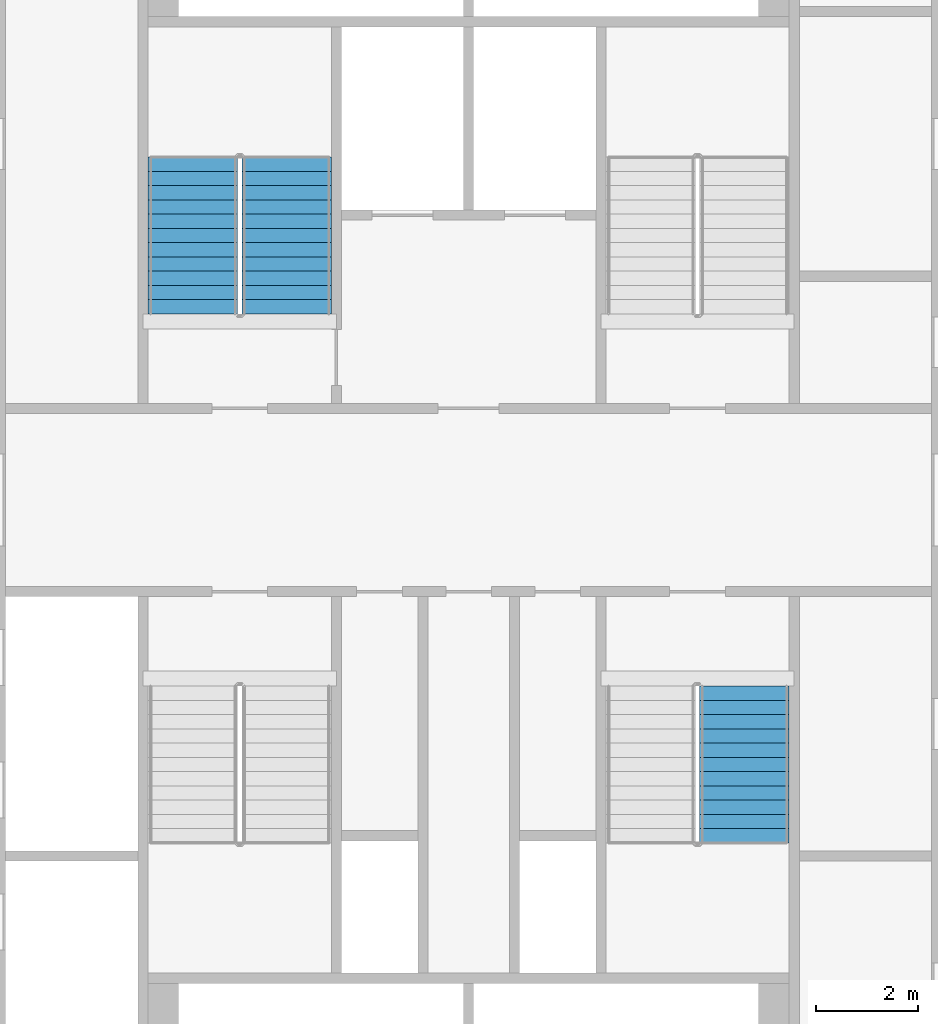
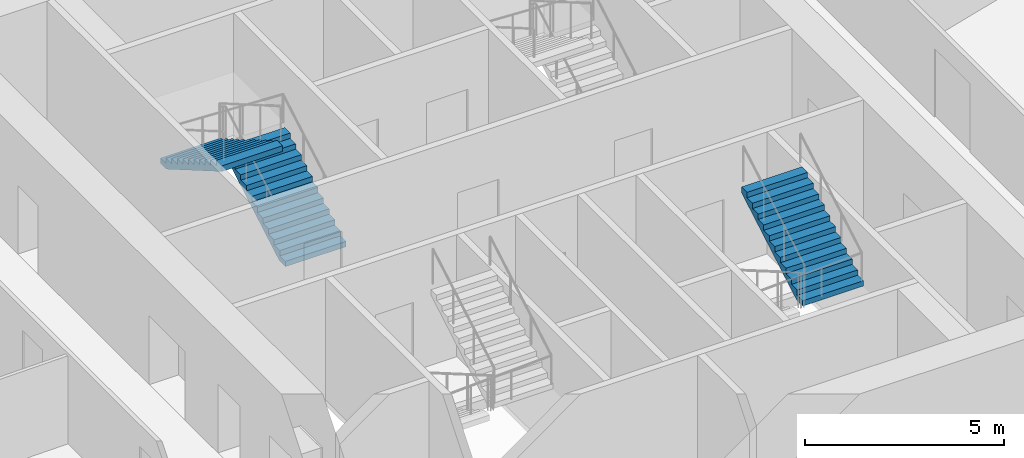
# One storey, part 16 of 22: 3 stair flights, 2 elements without a shape of their own.
"""IFC4 building model written with IfcOpenShell, lengths in metres."""

from ifc_helpers import new_model, si_unit, direction, frame, origin, place, context, subcontext, project, spatial, faceted_brep, material, type_object, element, aggregate, save


model = new_model("IFC4")

# Units and contexts
model_context = context("Model", 3, precision=1e-05, world=origin(), true_north=direction((0.0, 1.0)))
body_context = subcontext(model_context, "Body", "Model", "MODEL_VIEW")
ifc_project = project(units=[si_unit("LENGTHUNIT", "METRE"), si_unit("AREAUNIT", "SQUARE_METRE"), si_unit("VOLUMEUNIT", "CUBIC_METRE"), si_unit("PLANEANGLEUNIT", "RADIAN"), si_unit("MASSUNIT", "GRAM", prefix="KILO")], contexts=[model_context])

# Site, building, storey
site_placement = place(None, origin())
site = spatial("IfcSite", under=ifc_project, at=site_placement, CompositionType="ELEMENT")
building_placement = place(site_placement, origin())
building = spatial("IfcBuilding", under=site, at=building_placement, Name="Tarsis Ring Headquarters", CompositionType="ELEMENT")
storey_placement = place(building_placement, frame((0.0, 0.0, 40.0)))
storey = spatial("IfcBuildingStorey", under=building, at=storey_placement, Name="L07", CompositionType="ELEMENT", Elevation=40.0)

# Stair, stair flights
ifc_material_1 = material(Name="Core stair 1760")
stair_type = type_object("IfcStairType", Name="Core stair 1760", PredefinedType="HALF_TURN_STAIR", material=ifc_material_1)
stair_1_placement = place(storey_placement, origin())
stair_1 = element("IfcStair", 1, at=stair_1_placement, inside=storey, type_object=stair_type, Name="L07 Firefighting stair", PredefinedType="HALF_TURN_STAIR")
ifc_material_2 = material(Name="Concrete C40/50", Category="concrete")
stair_flight_type = type_object("IfcStairFlightType", Name="Core stair flight 1760", PredefinedType="STRAIGHT", material=ifc_material_2)
stair_flight_1_placement = place(storey_placement, frame((-3.580078125, 3.659912109375, 0.0), z_axis=(0.0, 0.0, 1.0), x_axis=(0.0, 1.0, 0.0)))
stair_flight_1 = element("IfcStairFlight", 2, at=stair_flight_1_placement, type_object=stair_flight_type, Name="Stair ST1 flight 1", NumberOfRisers=12, NumberOfTreads=11, PredefinedType="STRAIGHT", RiserHeight=0.1625, TreadLength=0.28, context=body_context, shape_type="Brep", body=[
    faceted_brep([(0.0, 0.8798828125, 0.0), (0.0, 0.8798828125, 0.16259765625), (0.280029296875, 0.8798828125, 0.16259765625), (0.280029296875, 0.8798828125, 0.324951171875), (0.56005859375, 0.8798828125, 0.324951171875), (0.56005859375, 0.8798828125, 0.487548828125), (0.840087890625, 0.8798828125, 0.487548828125), (0.840087890625, 0.8798828125, 0.64990234375), (1.1201171875, 0.8798828125, 0.64990234375), (1.1201171875, 0.8798828125, 0.8125), (1.39990234375, 0.8798828125, 0.8125), (1.39990234375, 0.8798828125, 0.97509765625), (1.679931640625, 0.8798828125, 0.97509765625), (1.679931640625, 0.8798828125, 1.137451171875), (1.9599609375, 0.8798828125, 1.137451171875), (1.9599609375, 0.8798828125, 1.300048828125), (2.239990234375, 0.8798828125, 1.300048828125), (2.239990234375, 0.8798828125, 1.46240234375), (2.52001953125, 0.8798828125, 1.46240234375), (2.52001953125, 0.8798828125, 1.625), (2.800048828125, 0.8798828125, 1.625), (2.800048828125, 0.8798828125, 1.78759765625), (3.080078125, 0.8798828125, 1.78759765625), (3.080078125, 0.8798828125, 1.6142578125), (0.298583984375, 0.8798828125, 0.0), (0.298583984375, -0.8798828125, 0.0), (3.080078125, -0.8798828125, 1.6142578125), (3.080078125, -0.8798828125, 1.78759765625), (2.800048828125, -0.8798828125, 1.78759765625), (2.800048828125, -0.8798828125, 1.625), (2.52001953125, -0.8798828125, 1.625), (2.52001953125, -0.8798828125, 1.46240234375), (2.239990234375, -0.8798828125, 1.46240234375), (2.239990234375, -0.8798828125, 1.300048828125), (1.9599609375, -0.8798828125, 1.300048828125), (1.9599609375, -0.8798828125, 1.137451171875), (1.679931640625, -0.8798828125, 1.137451171875), (1.679931640625, -0.8798828125, 0.97509765625), (1.39990234375, -0.8798828125, 0.97509765625), (1.39990234375, -0.8798828125, 0.8125), (1.1201171875, -0.8798828125, 0.8125), (1.1201171875, -0.8798828125, 0.64990234375), (0.840087890625, -0.8798828125, 0.64990234375), (0.840087890625, -0.8798828125, 0.487548828125), (0.56005859375, -0.8798828125, 0.487548828125), (0.56005859375, -0.8798828125, 0.324951171875), (0.280029296875, -0.8798828125, 0.324951171875), (0.280029296875, -0.8798828125, 0.16259765625), (0.0, -0.8798828125, 0.16259765625), (0.0, -0.8798828125, 0.0), (0.0, -0.43994140625, 0.16259765625), (0.0, -0.43994140625, 0.0), (0.0, 0.0, 0.16259765625), (0.0, 0.0, 0.0), (0.0, 0.43994140625, 0.16259765625), (0.0, 0.43994140625, 0.0), (0.280029296875, -0.43994140625, 0.16259765625), (0.280029296875, 0.0, 0.16259765625), (0.280029296875, 0.43994140625, 0.16259765625), (0.280029296875, -0.43994140625, 0.324951171875), (0.280029296875, 0.0, 0.324951171875), (0.280029296875, 0.43994140625, 0.324951171875), (0.56005859375, -0.43994140625, 0.324951171875), (0.56005859375, 0.0, 0.324951171875), (0.56005859375, 0.43994140625, 0.324951171875), (0.56005859375, -0.43994140625, 0.487548828125), (0.56005859375, 0.0, 0.487548828125), (0.56005859375, 0.43994140625, 0.487548828125), (0.840087890625, -0.43994140625, 0.487548828125), (0.840087890625, 0.0, 0.487548828125), (0.840087890625, 0.43994140625, 0.487548828125), (0.840087890625, -0.43994140625, 0.64990234375), (0.840087890625, 0.0, 0.64990234375), (0.840087890625, 0.43994140625, 0.64990234375), (1.1201171875, -0.43994140625, 0.64990234375), (1.1201171875, 0.0, 0.64990234375), (1.1201171875, 0.43994140625, 0.64990234375), (1.1201171875, -0.43994140625, 0.8125), (1.1201171875, 0.0, 0.8125), (1.1201171875, 0.43994140625, 0.8125), (1.39990234375, -0.43994140625, 0.8125), (1.39990234375, 0.0, 0.8125), (1.39990234375, 0.43994140625, 0.8125), (1.39990234375, -0.43994140625, 0.97509765625), (1.39990234375, 0.0, 0.97509765625), (1.39990234375, 0.43994140625, 0.97509765625), (1.679931640625, -0.43994140625, 0.97509765625), (1.679931640625, 0.0, 0.97509765625), (1.679931640625, 0.43994140625, 0.97509765625), (1.679931640625, -0.43994140625, 1.137451171875), (1.679931640625, 0.0, 1.137451171875), (1.679931640625, 0.43994140625, 1.137451171875), (1.9599609375, -0.43994140625, 1.137451171875), (1.9599609375, 0.0, 1.137451171875), (1.9599609375, 0.43994140625, 1.137451171875), (1.9599609375, -0.43994140625, 1.300048828125), (1.9599609375, 0.0, 1.300048828125), (1.9599609375, 0.43994140625, 1.300048828125), (2.239990234375, -0.43994140625, 1.300048828125), (2.239990234375, 0.0, 1.300048828125), (2.239990234375, 0.43994140625, 1.300048828125), (2.239990234375, -0.43994140625, 1.46240234375), (2.239990234375, 0.0, 1.46240234375), (2.239990234375, 0.43994140625, 1.46240234375), (2.52001953125, -0.43994140625, 1.46240234375), (2.52001953125, 0.0, 1.46240234375), (2.52001953125, 0.43994140625, 1.46240234375), (2.52001953125, -0.43994140625, 1.625), (2.52001953125, 0.0, 1.625), (2.52001953125, 0.43994140625, 1.625), (2.800048828125, -0.43994140625, 1.625), (2.800048828125, 0.0, 1.625), (2.800048828125, 0.43994140625, 1.625), (2.800048828125, -0.43994140625, 1.78759765625), (2.800048828125, 0.0, 1.78759765625), (2.800048828125, 0.43994140625, 1.78759765625), (3.080078125, -0.43994140625, 1.78759765625), (3.080078125, 0.0, 1.78759765625), (3.080078125, 0.43994140625, 1.78759765625), (3.080078125, -0.43994140625, 1.6142578125), (3.080078125, 0.0, 1.6142578125), (3.080078125, 0.43994140625, 1.6142578125), (0.298583984375, -0.43994140625, 0.0), (0.298583984375, 0.0, 0.0), (0.298583984375, 0.43994140625, 0.0)], [[[0, 1, 2, 3, 4, 5, 6, 7, 8, 9, 10, 11, 12, 13, 14, 15, 16, 17, 18, 19, 20, 21, 22, 23, 24]], [[25, 26, 27, 28, 29, 30, 31, 32, 33, 34, 35, 36, 37, 38, 39, 40, 41, 42, 43, 44, 45, 46, 47, 48, 49]], [[49, 48, 50, 51]], [[51, 50, 52, 53]], [[53, 52, 54, 55]], [[55, 54, 1, 0]], [[48, 47, 56, 50]], [[50, 56, 57, 52]], [[52, 57, 58, 54]], [[54, 58, 2, 1]], [[47, 46, 59, 56]], [[56, 59, 60, 57]], [[57, 60, 61, 58]], [[58, 61, 3, 2]], [[46, 45, 62, 59]], [[59, 62, 63, 60]], [[60, 63, 64, 61]], [[61, 64, 4, 3]], [[45, 44, 65, 62]], [[62, 65, 66, 63]], [[63, 66, 67, 64]], [[64, 67, 5, 4]], [[44, 43, 68, 65]], [[65, 68, 69, 66]], [[66, 69, 70, 67]], [[67, 70, 6, 5]], [[43, 42, 71, 68]], [[68, 71, 72, 69]], [[69, 72, 73, 70]], [[70, 73, 7, 6]], [[42, 41, 74, 71]], [[71, 74, 75, 72]], [[72, 75, 76, 73]], [[73, 76, 8, 7]], [[41, 40, 77, 74]], [[74, 77, 78, 75]], [[75, 78, 79, 76]], [[76, 79, 9, 8]], [[40, 39, 80, 77]], [[77, 80, 81, 78]], [[78, 81, 82, 79]], [[79, 82, 10, 9]], [[39, 38, 83, 80]], [[80, 83, 84, 81]], [[81, 84, 85, 82]], [[82, 85, 11, 10]], [[38, 37, 86, 83]], [[83, 86, 87, 84]], [[84, 87, 88, 85]], [[85, 88, 12, 11]], [[37, 36, 89, 86]], [[86, 89, 90, 87]], [[87, 90, 91, 88]], [[88, 91, 13, 12]], [[36, 35, 92, 89]], [[89, 92, 93, 90]], [[90, 93, 94, 91]], [[91, 94, 14, 13]], [[35, 34, 95, 92]], [[92, 95, 96, 93]], [[93, 96, 97, 94]], [[94, 97, 15, 14]], [[34, 33, 98, 95]], [[95, 98, 99, 96]], [[96, 99, 100, 97]], [[97, 100, 16, 15]], [[33, 32, 101, 98]], [[98, 101, 102, 99]], [[99, 102, 103, 100]], [[100, 103, 17, 16]], [[32, 31, 104, 101]], [[101, 104, 105, 102]], [[102, 105, 106, 103]], [[103, 106, 18, 17]], [[31, 30, 107, 104]], [[104, 107, 108, 105]], [[105, 108, 109, 106]], [[106, 109, 19, 18]], [[30, 29, 110, 107]], [[107, 110, 111, 108]], [[108, 111, 112, 109]], [[109, 112, 20, 19]], [[29, 28, 113, 110]], [[110, 113, 114, 111]], [[111, 114, 115, 112]], [[112, 115, 21, 20]], [[28, 27, 116, 113]], [[113, 116, 117, 114]], [[114, 117, 118, 115]], [[115, 118, 22, 21]], [[27, 26, 119, 116]], [[116, 119, 120, 117]], [[117, 120, 121, 118]], [[118, 121, 23, 22]], [[26, 25, 122, 119]], [[119, 122, 123, 120]], [[120, 123, 124, 121]], [[121, 124, 24, 23]], [[25, 49, 51, 122]], [[122, 51, 53, 123]], [[123, 53, 55, 124]], [[124, 55, 0, 24]]]),
])
stair_flight_2_placement = place(storey_placement, frame((-5.419921875, 6.739990234375, 1.949951171875), z_axis=(0.0, 0.0, 1.0), x_axis=(0.0, -1.0, 0.0)))
stair_flight_2 = element("IfcStairFlight", 3, at=stair_flight_2_placement, type_object=stair_flight_type, Name="Stair ST1 flight 2", NumberOfRisers=12, NumberOfTreads=11, PredefinedType="STRAIGHT", RiserHeight=0.1625, TreadLength=0.28, context=body_context, shape_type="Brep", body=[
    faceted_brep([(0.0, 0.8798828125, 0.0), (0.0, 0.8798828125, 0.16259765625), (0.280029296875, 0.8798828125, 0.16259765625), (0.280029296875, 0.8798828125, 0.324951171875), (0.56005859375, 0.8798828125, 0.324951171875), (0.56005859375, 0.8798828125, 0.487548828125), (0.840087890625, 0.8798828125, 0.487548828125), (0.840087890625, 0.8798828125, 0.64990234375), (1.1201171875, 0.8798828125, 0.64990234375), (1.1201171875, 0.8798828125, 0.8125), (1.39990234375, 0.8798828125, 0.8125), (1.39990234375, 0.8798828125, 0.97509765625), (1.679931640625, 0.8798828125, 0.97509765625), (1.679931640625, 0.8798828125, 1.137451171875), (1.9599609375, 0.8798828125, 1.137451171875), (1.9599609375, 0.8798828125, 1.300048828125), (2.239990234375, 0.8798828125, 1.300048828125), (2.239990234375, 0.8798828125, 1.46240234375), (2.52001953125, 0.8798828125, 1.46240234375), (2.52001953125, 0.8798828125, 1.625), (2.800048828125, 0.8798828125, 1.625), (2.800048828125, 0.8798828125, 1.78759765625), (3.080078125, 0.8798828125, 1.78759765625), (3.080078125, 0.8798828125, 1.6142578125), (0.298583984375, 0.8798828125, 0.0), (0.298583984375, -0.8798828125, 0.0), (3.080078125, -0.8798828125, 1.6142578125), (3.080078125, -0.8798828125, 1.78759765625), (2.800048828125, -0.8798828125, 1.78759765625), (2.800048828125, -0.8798828125, 1.625), (2.52001953125, -0.8798828125, 1.625), (2.52001953125, -0.8798828125, 1.46240234375), (2.239990234375, -0.8798828125, 1.46240234375), (2.239990234375, -0.8798828125, 1.300048828125), (1.9599609375, -0.8798828125, 1.300048828125), (1.9599609375, -0.8798828125, 1.137451171875), (1.679931640625, -0.8798828125, 1.137451171875), (1.679931640625, -0.8798828125, 0.97509765625), (1.39990234375, -0.8798828125, 0.97509765625), (1.39990234375, -0.8798828125, 0.8125), (1.1201171875, -0.8798828125, 0.8125), (1.1201171875, -0.8798828125, 0.64990234375), (0.840087890625, -0.8798828125, 0.64990234375), (0.840087890625, -0.8798828125, 0.487548828125), (0.56005859375, -0.8798828125, 0.487548828125), (0.56005859375, -0.8798828125, 0.324951171875), (0.280029296875, -0.8798828125, 0.324951171875), (0.280029296875, -0.8798828125, 0.16259765625), (0.0, -0.8798828125, 0.16259765625), (0.0, -0.8798828125, 0.0), (0.0, -0.43994140625, 0.16259765625), (0.0, -0.43994140625, 0.0), (0.0, 0.0, 0.16259765625), (0.0, 0.0, 0.0), (0.0, 0.43994140625, 0.16259765625), (0.0, 0.43994140625, 0.0), (0.280029296875, -0.43994140625, 0.16259765625), (0.280029296875, 0.0, 0.16259765625), (0.280029296875, 0.43994140625, 0.16259765625), (0.280029296875, -0.43994140625, 0.324951171875), (0.280029296875, 0.0, 0.324951171875), (0.280029296875, 0.43994140625, 0.324951171875), (0.56005859375, -0.43994140625, 0.324951171875), (0.56005859375, 0.0, 0.324951171875), (0.56005859375, 0.43994140625, 0.324951171875), (0.56005859375, -0.43994140625, 0.487548828125), (0.56005859375, 0.0, 0.487548828125), (0.56005859375, 0.43994140625, 0.487548828125), (0.840087890625, -0.43994140625, 0.487548828125), (0.840087890625, 0.0, 0.487548828125), (0.840087890625, 0.43994140625, 0.487548828125), (0.840087890625, -0.43994140625, 0.64990234375), (0.840087890625, 0.0, 0.64990234375), (0.840087890625, 0.43994140625, 0.64990234375), (1.1201171875, -0.43994140625, 0.64990234375), (1.1201171875, 0.0, 0.64990234375), (1.1201171875, 0.43994140625, 0.64990234375), (1.1201171875, -0.43994140625, 0.8125), (1.1201171875, 0.0, 0.8125), (1.1201171875, 0.43994140625, 0.8125), (1.39990234375, -0.43994140625, 0.8125), (1.39990234375, 0.0, 0.8125), (1.39990234375, 0.43994140625, 0.8125), (1.39990234375, -0.43994140625, 0.97509765625), (1.39990234375, 0.0, 0.97509765625), (1.39990234375, 0.43994140625, 0.97509765625), (1.679931640625, -0.43994140625, 0.97509765625), (1.679931640625, 0.0, 0.97509765625), (1.679931640625, 0.43994140625, 0.97509765625), (1.679931640625, -0.43994140625, 1.137451171875), (1.679931640625, 0.0, 1.137451171875), (1.679931640625, 0.43994140625, 1.137451171875), (1.9599609375, -0.43994140625, 1.137451171875), (1.9599609375, 0.0, 1.137451171875), (1.9599609375, 0.43994140625, 1.137451171875), (1.9599609375, -0.43994140625, 1.300048828125), (1.9599609375, 0.0, 1.300048828125), (1.9599609375, 0.43994140625, 1.300048828125), (2.239990234375, -0.43994140625, 1.300048828125), (2.239990234375, 0.0, 1.300048828125), (2.239990234375, 0.43994140625, 1.300048828125), (2.239990234375, -0.43994140625, 1.46240234375), (2.239990234375, 0.0, 1.46240234375), (2.239990234375, 0.43994140625, 1.46240234375), (2.52001953125, -0.43994140625, 1.46240234375), (2.52001953125, 0.0, 1.46240234375), (2.52001953125, 0.43994140625, 1.46240234375), (2.52001953125, -0.43994140625, 1.625), (2.52001953125, 0.0, 1.625), (2.52001953125, 0.43994140625, 1.625), (2.800048828125, -0.43994140625, 1.625), (2.800048828125, 0.0, 1.625), (2.800048828125, 0.43994140625, 1.625), (2.800048828125, -0.43994140625, 1.78759765625), (2.800048828125, 0.0, 1.78759765625), (2.800048828125, 0.43994140625, 1.78759765625), (3.080078125, -0.43994140625, 1.78759765625), (3.080078125, 0.0, 1.78759765625), (3.080078125, 0.43994140625, 1.78759765625), (3.080078125, -0.43994140625, 1.6142578125), (3.080078125, 0.0, 1.6142578125), (3.080078125, 0.43994140625, 1.6142578125), (0.298583984375, -0.43994140625, 0.0), (0.298583984375, 0.0, 0.0), (0.298583984375, 0.43994140625, 0.0)], [[[0, 1, 2, 3, 4, 5, 6, 7, 8, 9, 10, 11, 12, 13, 14, 15, 16, 17, 18, 19, 20, 21, 22, 23, 24]], [[25, 26, 27, 28, 29, 30, 31, 32, 33, 34, 35, 36, 37, 38, 39, 40, 41, 42, 43, 44, 45, 46, 47, 48, 49]], [[49, 48, 50, 51]], [[51, 50, 52, 53]], [[53, 52, 54, 55]], [[55, 54, 1, 0]], [[48, 47, 56, 50]], [[50, 56, 57, 52]], [[52, 57, 58, 54]], [[54, 58, 2, 1]], [[47, 46, 59, 56]], [[56, 59, 60, 57]], [[57, 60, 61, 58]], [[58, 61, 3, 2]], [[46, 45, 62, 59]], [[59, 62, 63, 60]], [[60, 63, 64, 61]], [[61, 64, 4, 3]], [[45, 44, 65, 62]], [[62, 65, 66, 63]], [[63, 66, 67, 64]], [[64, 67, 5, 4]], [[44, 43, 68, 65]], [[65, 68, 69, 66]], [[66, 69, 70, 67]], [[67, 70, 6, 5]], [[43, 42, 71, 68]], [[68, 71, 72, 69]], [[69, 72, 73, 70]], [[70, 73, 7, 6]], [[42, 41, 74, 71]], [[71, 74, 75, 72]], [[72, 75, 76, 73]], [[73, 76, 8, 7]], [[41, 40, 77, 74]], [[74, 77, 78, 75]], [[75, 78, 79, 76]], [[76, 79, 9, 8]], [[40, 39, 80, 77]], [[77, 80, 81, 78]], [[78, 81, 82, 79]], [[79, 82, 10, 9]], [[39, 38, 83, 80]], [[80, 83, 84, 81]], [[81, 84, 85, 82]], [[82, 85, 11, 10]], [[38, 37, 86, 83]], [[83, 86, 87, 84]], [[84, 87, 88, 85]], [[85, 88, 12, 11]], [[37, 36, 89, 86]], [[86, 89, 90, 87]], [[87, 90, 91, 88]], [[88, 91, 13, 12]], [[36, 35, 92, 89]], [[89, 92, 93, 90]], [[90, 93, 94, 91]], [[91, 94, 14, 13]], [[35, 34, 95, 92]], [[92, 95, 96, 93]], [[93, 96, 97, 94]], [[94, 97, 15, 14]], [[34, 33, 98, 95]], [[95, 98, 99, 96]], [[96, 99, 100, 97]], [[97, 100, 16, 15]], [[33, 32, 101, 98]], [[98, 101, 102, 99]], [[99, 102, 103, 100]], [[100, 103, 17, 16]], [[32, 31, 104, 101]], [[101, 104, 105, 102]], [[102, 105, 106, 103]], [[103, 106, 18, 17]], [[31, 30, 107, 104]], [[104, 107, 108, 105]], [[105, 108, 109, 106]], [[106, 109, 19, 18]], [[30, 29, 110, 107]], [[107, 110, 111, 108]], [[108, 111, 112, 109]], [[109, 112, 20, 19]], [[29, 28, 113, 110]], [[110, 113, 114, 111]], [[111, 114, 115, 112]], [[112, 115, 21, 20]], [[28, 27, 116, 113]], [[113, 116, 117, 114]], [[114, 117, 118, 115]], [[115, 118, 22, 21]], [[27, 26, 119, 116]], [[116, 119, 120, 117]], [[117, 120, 121, 118]], [[118, 121, 23, 22]], [[26, 25, 122, 119]], [[119, 122, 123, 120]], [[120, 123, 124, 121]], [[121, 124, 24, 23]], [[25, 49, 51, 122]], [[122, 51, 53, 123]], [[123, 53, 55, 124]], [[124, 55, 0, 24]]]),
])
aggregate(stair_1, [stair_flight_1, stair_flight_2])

# Stair, stair flight
stair_2_placement = place(storey_placement, origin())
stair_2 = element("IfcStair", 4, at=stair_2_placement, inside=storey, type_object=stair_type, Name="L07 Exit stair D", PredefinedType="HALF_TURN_STAIR")
stair_flight_3_placement = place(storey_placement, frame((5.419921875, -6.739990234375, 1.949951171875), z_axis=(0.0, 0.0, 1.0), x_axis=(0.0, 1.0, 0.0)))
stair_flight_3 = element("IfcStairFlight", 5, at=stair_flight_3_placement, type_object=stair_flight_type, Name="Stair ST4 flight 2", NumberOfRisers=12, NumberOfTreads=11, PredefinedType="STRAIGHT", RiserHeight=0.1625, TreadLength=0.28, context=body_context, shape_type="Brep", body=[
    faceted_brep([(0.0, 0.8798828125, 0.0), (0.0, 0.8798828125, 0.16259765625), (0.280029296875, 0.8798828125, 0.16259765625), (0.280029296875, 0.8798828125, 0.324951171875), (0.56005859375, 0.8798828125, 0.324951171875), (0.56005859375, 0.8798828125, 0.487548828125), (0.840087890625, 0.8798828125, 0.487548828125), (0.840087890625, 0.8798828125, 0.64990234375), (1.1201171875, 0.8798828125, 0.64990234375), (1.1201171875, 0.8798828125, 0.8125), (1.39990234375, 0.8798828125, 0.8125), (1.39990234375, 0.8798828125, 0.97509765625), (1.679931640625, 0.8798828125, 0.97509765625), (1.679931640625, 0.8798828125, 1.137451171875), (1.9599609375, 0.8798828125, 1.137451171875), (1.9599609375, 0.8798828125, 1.300048828125), (2.239990234375, 0.8798828125, 1.300048828125), (2.239990234375, 0.8798828125, 1.46240234375), (2.52001953125, 0.8798828125, 1.46240234375), (2.52001953125, 0.8798828125, 1.625), (2.800048828125, 0.8798828125, 1.625), (2.800048828125, 0.8798828125, 1.78759765625), (3.080078125, 0.8798828125, 1.78759765625), (3.080078125, 0.8798828125, 1.6142578125), (0.298583984375, 0.8798828125, 0.0), (0.298583984375, -0.8798828125, 0.0), (3.080078125, -0.8798828125, 1.6142578125), (3.080078125, -0.8798828125, 1.78759765625), (2.800048828125, -0.8798828125, 1.78759765625), (2.800048828125, -0.8798828125, 1.625), (2.52001953125, -0.8798828125, 1.625), (2.52001953125, -0.8798828125, 1.46240234375), (2.239990234375, -0.8798828125, 1.46240234375), (2.239990234375, -0.8798828125, 1.300048828125), (1.9599609375, -0.8798828125, 1.300048828125), (1.9599609375, -0.8798828125, 1.137451171875), (1.679931640625, -0.8798828125, 1.137451171875), (1.679931640625, -0.8798828125, 0.97509765625), (1.39990234375, -0.8798828125, 0.97509765625), (1.39990234375, -0.8798828125, 0.8125), (1.1201171875, -0.8798828125, 0.8125), (1.1201171875, -0.8798828125, 0.64990234375), (0.840087890625, -0.8798828125, 0.64990234375), (0.840087890625, -0.8798828125, 0.487548828125), (0.56005859375, -0.8798828125, 0.487548828125), (0.56005859375, -0.8798828125, 0.324951171875), (0.280029296875, -0.8798828125, 0.324951171875), (0.280029296875, -0.8798828125, 0.16259765625), (0.0, -0.8798828125, 0.16259765625), (0.0, -0.8798828125, 0.0), (0.0, -0.43994140625, 0.16259765625), (0.0, -0.43994140625, 0.0), (0.0, 0.0, 0.16259765625), (0.0, 0.0, 0.0), (0.0, 0.43994140625, 0.16259765625), (0.0, 0.43994140625, 0.0), (0.280029296875, -0.43994140625, 0.16259765625), (0.280029296875, 0.0, 0.16259765625), (0.280029296875, 0.43994140625, 0.16259765625), (0.280029296875, -0.43994140625, 0.324951171875), (0.280029296875, 0.0, 0.324951171875), (0.280029296875, 0.43994140625, 0.324951171875), (0.56005859375, -0.43994140625, 0.324951171875), (0.56005859375, 0.0, 0.324951171875), (0.56005859375, 0.43994140625, 0.324951171875), (0.56005859375, -0.43994140625, 0.487548828125), (0.56005859375, 0.0, 0.487548828125), (0.56005859375, 0.43994140625, 0.487548828125), (0.840087890625, -0.43994140625, 0.487548828125), (0.840087890625, 0.0, 0.487548828125), (0.840087890625, 0.43994140625, 0.487548828125), (0.840087890625, -0.43994140625, 0.64990234375), (0.840087890625, 0.0, 0.64990234375), (0.840087890625, 0.43994140625, 0.64990234375), (1.1201171875, -0.43994140625, 0.64990234375), (1.1201171875, 0.0, 0.64990234375), (1.1201171875, 0.43994140625, 0.64990234375), (1.1201171875, -0.43994140625, 0.8125), (1.1201171875, 0.0, 0.8125), (1.1201171875, 0.43994140625, 0.8125), (1.39990234375, -0.43994140625, 0.8125), (1.39990234375, 0.0, 0.8125), (1.39990234375, 0.43994140625, 0.8125), (1.39990234375, -0.43994140625, 0.97509765625), (1.39990234375, 0.0, 0.97509765625), (1.39990234375, 0.43994140625, 0.97509765625), (1.679931640625, -0.43994140625, 0.97509765625), (1.679931640625, 0.0, 0.97509765625), (1.679931640625, 0.43994140625, 0.97509765625), (1.679931640625, -0.43994140625, 1.137451171875), (1.679931640625, 0.0, 1.137451171875), (1.679931640625, 0.43994140625, 1.137451171875), (1.9599609375, -0.43994140625, 1.137451171875), (1.9599609375, 0.0, 1.137451171875), (1.9599609375, 0.43994140625, 1.137451171875), (1.9599609375, -0.43994140625, 1.300048828125), (1.9599609375, 0.0, 1.300048828125), (1.9599609375, 0.43994140625, 1.300048828125), (2.239990234375, -0.43994140625, 1.300048828125), (2.239990234375, 0.0, 1.300048828125), (2.239990234375, 0.43994140625, 1.300048828125), (2.239990234375, -0.43994140625, 1.46240234375), (2.239990234375, 0.0, 1.46240234375), (2.239990234375, 0.43994140625, 1.46240234375), (2.52001953125, -0.43994140625, 1.46240234375), (2.52001953125, 0.0, 1.46240234375), (2.52001953125, 0.43994140625, 1.46240234375), (2.52001953125, -0.43994140625, 1.625), (2.52001953125, 0.0, 1.625), (2.52001953125, 0.43994140625, 1.625), (2.800048828125, -0.43994140625, 1.625), (2.800048828125, 0.0, 1.625), (2.800048828125, 0.43994140625, 1.625), (2.800048828125, -0.43994140625, 1.78759765625), (2.800048828125, 0.0, 1.78759765625), (2.800048828125, 0.43994140625, 1.78759765625), (3.080078125, -0.43994140625, 1.78759765625), (3.080078125, 0.0, 1.78759765625), (3.080078125, 0.43994140625, 1.78759765625), (3.080078125, -0.43994140625, 1.6142578125), (3.080078125, 0.0, 1.6142578125), (3.080078125, 0.43994140625, 1.6142578125), (0.298583984375, -0.43994140625, 0.0), (0.298583984375, 0.0, 0.0), (0.298583984375, 0.43994140625, 0.0)], [[[0, 1, 2, 3, 4, 5, 6, 7, 8, 9, 10, 11, 12, 13, 14, 15, 16, 17, 18, 19, 20, 21, 22, 23, 24]], [[25, 26, 27, 28, 29, 30, 31, 32, 33, 34, 35, 36, 37, 38, 39, 40, 41, 42, 43, 44, 45, 46, 47, 48, 49]], [[49, 48, 50, 51]], [[51, 50, 52, 53]], [[53, 52, 54, 55]], [[55, 54, 1, 0]], [[48, 47, 56, 50]], [[50, 56, 57, 52]], [[52, 57, 58, 54]], [[54, 58, 2, 1]], [[47, 46, 59, 56]], [[56, 59, 60, 57]], [[57, 60, 61, 58]], [[58, 61, 3, 2]], [[46, 45, 62, 59]], [[59, 62, 63, 60]], [[60, 63, 64, 61]], [[61, 64, 4, 3]], [[45, 44, 65, 62]], [[62, 65, 66, 63]], [[63, 66, 67, 64]], [[64, 67, 5, 4]], [[44, 43, 68, 65]], [[65, 68, 69, 66]], [[66, 69, 70, 67]], [[67, 70, 6, 5]], [[43, 42, 71, 68]], [[68, 71, 72, 69]], [[69, 72, 73, 70]], [[70, 73, 7, 6]], [[42, 41, 74, 71]], [[71, 74, 75, 72]], [[72, 75, 76, 73]], [[73, 76, 8, 7]], [[41, 40, 77, 74]], [[74, 77, 78, 75]], [[75, 78, 79, 76]], [[76, 79, 9, 8]], [[40, 39, 80, 77]], [[77, 80, 81, 78]], [[78, 81, 82, 79]], [[79, 82, 10, 9]], [[39, 38, 83, 80]], [[80, 83, 84, 81]], [[81, 84, 85, 82]], [[82, 85, 11, 10]], [[38, 37, 86, 83]], [[83, 86, 87, 84]], [[84, 87, 88, 85]], [[85, 88, 12, 11]], [[37, 36, 89, 86]], [[86, 89, 90, 87]], [[87, 90, 91, 88]], [[88, 91, 13, 12]], [[36, 35, 92, 89]], [[89, 92, 93, 90]], [[90, 93, 94, 91]], [[91, 94, 14, 13]], [[35, 34, 95, 92]], [[92, 95, 96, 93]], [[93, 96, 97, 94]], [[94, 97, 15, 14]], [[34, 33, 98, 95]], [[95, 98, 99, 96]], [[96, 99, 100, 97]], [[97, 100, 16, 15]], [[33, 32, 101, 98]], [[98, 101, 102, 99]], [[99, 102, 103, 100]], [[100, 103, 17, 16]], [[32, 31, 104, 101]], [[101, 104, 105, 102]], [[102, 105, 106, 103]], [[103, 106, 18, 17]], [[31, 30, 107, 104]], [[104, 107, 108, 105]], [[105, 108, 109, 106]], [[106, 109, 19, 18]], [[30, 29, 110, 107]], [[107, 110, 111, 108]], [[108, 111, 112, 109]], [[109, 112, 20, 19]], [[29, 28, 113, 110]], [[110, 113, 114, 111]], [[111, 114, 115, 112]], [[112, 115, 21, 20]], [[28, 27, 116, 113]], [[113, 116, 117, 114]], [[114, 117, 118, 115]], [[115, 118, 22, 21]], [[27, 26, 119, 116]], [[116, 119, 120, 117]], [[117, 120, 121, 118]], [[118, 121, 23, 22]], [[26, 25, 122, 119]], [[119, 122, 123, 120]], [[120, 123, 124, 121]], [[121, 124, 24, 23]], [[25, 49, 51, 122]], [[122, 51, 53, 123]], [[123, 53, 55, 124]], [[124, 55, 0, 24]]]),
])
aggregate(stair_2, [stair_flight_3])

save(model, "model.ifc")
